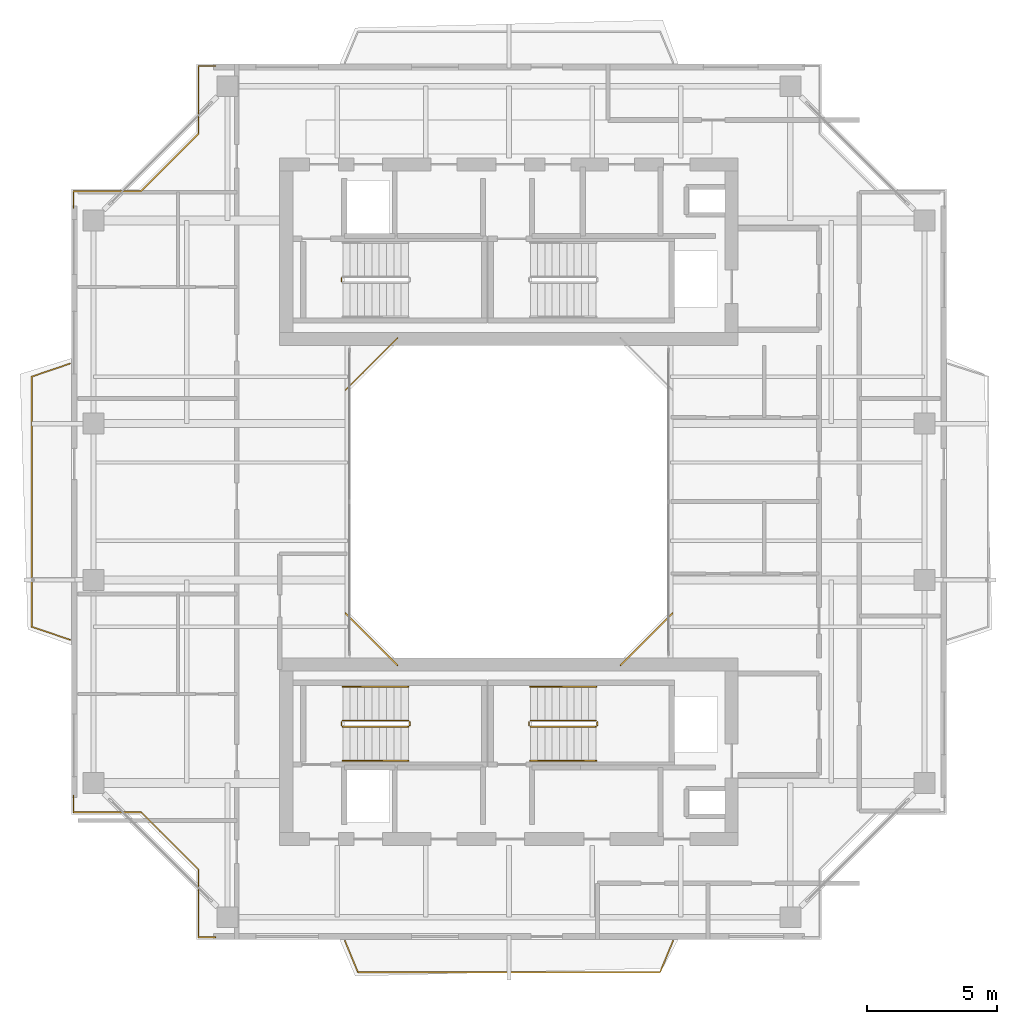
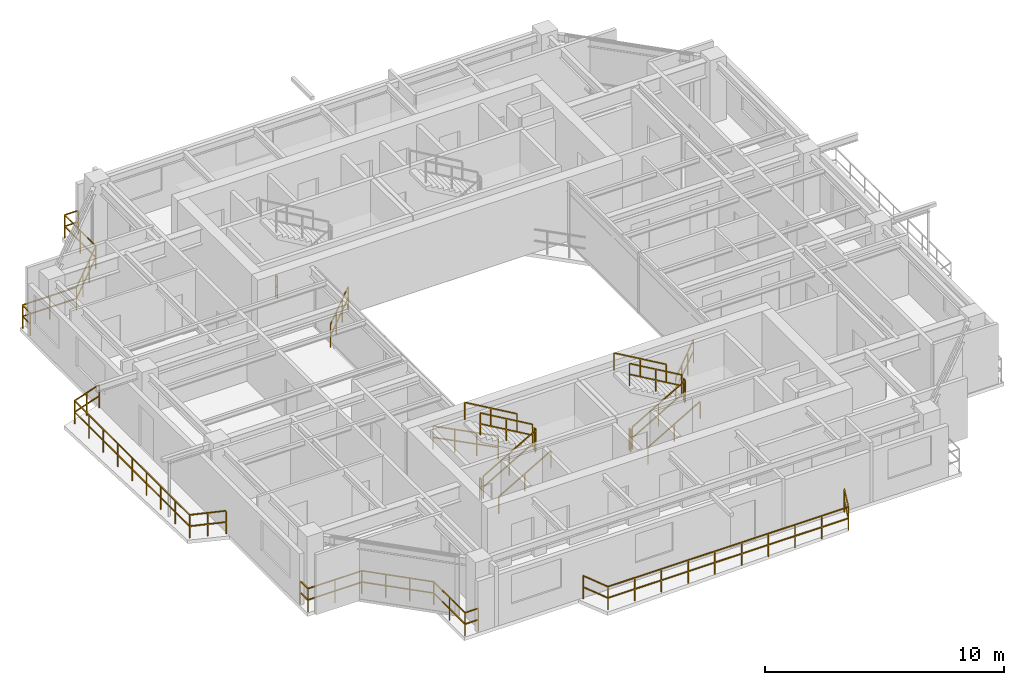
# One storey, part 14 of 15: 20 railings.
"""IFC4 building model written with IfcOpenShell, lengths in metres."""

from ifc_helpers import new_model, si_unit, direction, frame, origin, origin_2d, place, context, subcontext, project, spatial, rectangle, extrude, material, type_object, element, save


model = new_model("IFC4")

# Units and contexts
model_context = context("Model", 3, precision=1e-05, world=origin(), true_north=direction((0.0, 1.0)))
body_context = subcontext(model_context, "Body", "Model", "MODEL_VIEW")
ifc_project = project(units=[si_unit("LENGTHUNIT", "METRE"), si_unit("AREAUNIT", "SQUARE_METRE"), si_unit("VOLUMEUNIT", "CUBIC_METRE"), si_unit("PLANEANGLEUNIT", "RADIAN"), si_unit("MASSUNIT", "GRAM", prefix="KILO"), si_unit("THERMODYNAMICTEMPERATUREUNIT", "KELVIN"), si_unit("POWERUNIT", "WATT")], contexts=[model_context])

# Site, building, storey
site_placement = place(None, origin())
site = spatial("IfcSite", under=ifc_project, at=site_placement, CompositionType="ELEMENT")
building_placement = place(site_placement, origin())
building = spatial("IfcBuilding", under=site, at=building_placement, Name="Qiaomeng Ring Towers", CompositionType="ELEMENT")
storey_placement = place(building_placement, frame((0.0, 0.0, 206.75)))
storey = spatial("IfcBuildingStorey", under=building, at=storey_placement, Name="L60", CompositionType="ELEMENT", Elevation=206.75)

# Railings
ifc_material_1 = material(Name="Low-E pale-green laminated safety glass", Category="glass")
railing_type_1 = type_object("IfcRailingType", Name="ARC-RL-BAL1", PredefinedType="BALUSTRADE", material=ifc_material_1)
railing_1_placement = place(storey_placement, frame((23.280029296875, 16.719970703125, 0.0)))
element("IfcRailing", 1, at=railing_1_placement, inside=storey, type_object=railing_type_1, Name="L60 Balustrade ARC-BAL-WELL1-L60-1", PredefinedType="BALUSTRADE", context=body_context, shape_type="SweptSolid", body=[
    extrude(rectangle(XDim=0.048095703125, YDim=0.048095703125, at=origin_2d()), frame((0.0, 0.0, 1.17578125), z_axis=(0.707106781187, 0.707106781187, 0.0), x_axis=(-0.707106781187, 0.707106781187, 0.0)), (0.0, 0.0, 1.0), 2.828369140625),
    extrude(rectangle(XDim=0.048095703125, YDim=0.048095703125, at=origin_2d()), frame((0.0, 0.0, 0.60009765625), z_axis=(0.707106781187, 0.707106781187, 0.0), x_axis=(-0.707106781187, 0.707106781187, 0.0)), (0.0, 0.0, 1.0), 2.828369140625),
    extrude(rectangle(XDim=0.0419921875, YDim=0.0419921875, at=origin_2d()), origin(), (0.0, 0.0, 1.0), 1.15185546875),
    extrude(rectangle(XDim=0.0419921875, YDim=0.0419921875, at=origin_2d()), frame((0.666748046875, 0.666748046875, 0.0)), (0.0, 0.0, 1.0), 1.15185546875),
    extrude(rectangle(XDim=0.0419921875, YDim=0.0419921875, at=origin_2d()), frame((1.333251953125, 1.333251953125, 0.0)), (0.0, 0.0, 1.0), 1.15185546875),
    extrude(rectangle(XDim=0.0419921875, YDim=0.0419921875, at=origin_2d()), frame((2.0, 2.0, 0.0)), (0.0, 0.0, 1.0), 1.15185546875),
])
railing_2_placement = place(storey_placement, frame((14.719970703125, 29.280029296875, 0.0)))
element("IfcRailing", 2, at=railing_2_placement, inside=storey, type_object=railing_type_1, Name="L60 Balustrade ARC-BAL-WELL1-L60-3", PredefinedType="BALUSTRADE", context=body_context, shape_type="SweptSolid", body=[
    extrude(rectangle(XDim=0.048095703125, YDim=0.048095703125, at=origin_2d()), frame((0.0, 0.0, 1.17578125), z_axis=(-0.707106781187, -0.707106781187, 0.0), x_axis=(0.707106781187, -0.707106781187, 0.0)), (0.0, 0.0, 1.0), 2.828369140625),
    extrude(rectangle(XDim=0.048095703125, YDim=0.048095703125, at=origin_2d()), frame((0.0, 0.0, 0.60009765625), z_axis=(-0.707106781187, -0.707106781187, 0.0), x_axis=(0.707106781187, -0.707106781187, 0.0)), (0.0, 0.0, 1.0), 2.828369140625),
    extrude(rectangle(XDim=0.0419921875, YDim=0.0419921875, at=origin_2d()), origin(), (0.0, 0.0, 1.0), 1.15185546875),
    extrude(rectangle(XDim=0.0419921875, YDim=0.0419921875, at=origin_2d()), frame((-0.666748046875, -0.666748046875, 0.0)), (0.0, 0.0, 1.0), 1.15185546875),
    extrude(rectangle(XDim=0.0419921875, YDim=0.0419921875, at=origin_2d()), frame((-1.333251953125, -1.333251953125, 0.0)), (0.0, 0.0, 1.0), 1.15185546875),
    extrude(rectangle(XDim=0.0419921875, YDim=0.0419921875, at=origin_2d()), frame((-2.0, -2.0, 0.0)), (0.0, 0.0, 1.0), 1.15185546875),
])
railing_3_placement = place(storey_placement, frame((12.719970703125, 18.719970703125, 0.0)))
element("IfcRailing", 3, at=railing_3_placement, inside=storey, type_object=railing_type_1, Name="L60 Balustrade ARC-BAL-WELL1-L60-4", PredefinedType="BALUSTRADE", context=body_context, shape_type="SweptSolid", body=[
    extrude(rectangle(XDim=0.048095703125, YDim=0.048095703125, at=origin_2d()), frame((0.0, 0.0, 1.17578125), z_axis=(0.707106781187, -0.707106781187, 0.0), x_axis=(0.707106781187, 0.707106781187, 0.0)), (0.0, 0.0, 1.0), 2.828369140625),
    extrude(rectangle(XDim=0.048095703125, YDim=0.048095703125, at=origin_2d()), frame((0.0, 0.0, 0.60009765625), z_axis=(0.707106781187, -0.707106781187, 0.0), x_axis=(0.707106781187, 0.707106781187, 0.0)), (0.0, 0.0, 1.0), 2.828369140625),
    extrude(rectangle(XDim=0.0419921875, YDim=0.0419921875, at=origin_2d()), origin(), (0.0, 0.0, 1.0), 1.15185546875),
    extrude(rectangle(XDim=0.0419921875, YDim=0.0419921875, at=origin_2d()), frame((0.666748046875, -0.666748046875, 0.0)), (0.0, 0.0, 1.0), 1.15185546875),
    extrude(rectangle(XDim=0.0419921875, YDim=0.0419921875, at=origin_2d()), frame((1.333251953125, -1.333251953125, 0.0)), (0.0, 0.0, 1.0), 1.15185546875),
    extrude(rectangle(XDim=0.0419921875, YDim=0.0419921875, at=origin_2d()), frame((2.0, -2.0, 0.0)), (0.0, 0.0, 1.0), 1.15185546875),
])
railing_4_placement = place(storey_placement, frame((7.72998046875, 39.719970703125, 0.0)))
element("IfcRailing", 4, at=railing_4_placement, inside=storey, type_object=railing_type_1, Name="L60 Balustrade ARC-BAL-NOTCH1-L60-NW", PredefinedType="BALUSTRADE", context=body_context, shape_type="SweptSolid", body=[
    extrude(rectangle(XDim=0.048095703125, YDim=0.048095703125, at=origin_2d()), frame((0.0, 0.0, 1.17578125), z_axis=(-1.0, 0.0, 0.0), x_axis=(0.0, -1.0, 0.0)), (0.0, 0.0, 1.0), 0.64990234375),
    extrude(rectangle(XDim=0.048095703125, YDim=0.048095703125, at=origin_2d()), frame((0.0, 0.0, 0.60009765625), z_axis=(-1.0, 0.0, 0.0), x_axis=(0.0, -1.0, 0.0)), (0.0, 0.0, 1.0), 0.64990234375),
    extrude(rectangle(XDim=0.048095703125, YDim=0.048095703125, at=origin_2d()), frame((-0.64990234375, 0.0, 1.17578125), z_axis=(0.0, -1.0, 0.0), x_axis=(1.0, 0.0, 0.0)), (0.0, 0.0, 1.0), 2.599853515625),
    extrude(rectangle(XDim=0.048095703125, YDim=0.048095703125, at=origin_2d()), frame((-0.64990234375, 0.0, 0.60009765625), z_axis=(0.0, -1.0, 0.0), x_axis=(1.0, 0.0, 0.0)), (0.0, 0.0, 1.0), 2.599853515625),
    extrude(rectangle(XDim=0.048095703125, YDim=0.048095703125, at=origin_2d()), frame((-0.64990234375, -2.599853515625, 1.17578125), z_axis=(-0.707106781187, -0.707106781187, 0.0), x_axis=(0.707106781187, -0.707106781187, 0.0)), (0.0, 0.0, 1.0), 3.111572265625),
    extrude(rectangle(XDim=0.048095703125, YDim=0.048095703125, at=origin_2d()), frame((-0.64990234375, -2.599853515625, 0.60009765625), z_axis=(-0.707106781187, -0.707106781187, 0.0), x_axis=(0.707106781187, -0.707106781187, 0.0)), (0.0, 0.0, 1.0), 3.111572265625),
    extrude(rectangle(XDim=0.048095703125, YDim=0.048095703125, at=origin_2d()), frame((-2.85009765625, -4.800048828125, 1.17578125), z_axis=(-1.0, 0.0, 0.0), x_axis=(0.0, -1.0, 0.0)), (0.0, 0.0, 1.0), 2.599853515625),
    extrude(rectangle(XDim=0.048095703125, YDim=0.048095703125, at=origin_2d()), frame((-2.85009765625, -4.800048828125, 0.60009765625), z_axis=(-1.0, 0.0, 0.0), x_axis=(0.0, -1.0, 0.0)), (0.0, 0.0, 1.0), 2.599853515625),
    extrude(rectangle(XDim=0.048095703125, YDim=0.048095703125, at=origin_2d()), frame((-5.449951171875, -4.800048828125, 1.17578125), z_axis=(0.0, -1.0, 0.0), x_axis=(1.0, 0.0, 0.0)), (0.0, 0.0, 1.0), 0.64990234375),
    extrude(rectangle(XDim=0.048095703125, YDim=0.048095703125, at=origin_2d()), frame((-5.449951171875, -4.800048828125, 0.60009765625), z_axis=(0.0, -1.0, 0.0), x_axis=(1.0, 0.0, 0.0)), (0.0, 0.0, 1.0), 0.64990234375),
    extrude(rectangle(XDim=0.0419921875, YDim=0.0419921875, at=origin_2d()), origin(), (0.0, 0.0, 1.0), 1.15185546875),
    extrude(rectangle(XDim=0.0419921875, YDim=0.0419921875, at=origin_2d()), frame((-0.64990234375, 0.0, 0.0)), (0.0, 0.0, 1.0), 1.15185546875),
    extrude(rectangle(XDim=0.0419921875, YDim=0.0419921875, at=origin_2d()), frame((-0.64990234375, -1.2998046875, 0.0)), (0.0, 0.0, 1.0), 1.15185546875),
    extrude(rectangle(XDim=0.0419921875, YDim=0.0419921875, at=origin_2d()), frame((-0.64990234375, -2.599853515625, 0.0)), (0.0, 0.0, 1.0), 1.15185546875),
    extrude(rectangle(XDim=0.0419921875, YDim=0.0419921875, at=origin_2d()), frame((-1.38330078125, -3.333251953125, 0.0)), (0.0, 0.0, 1.0), 1.15185546875),
    extrude(rectangle(XDim=0.0419921875, YDim=0.0419921875, at=origin_2d()), frame((-2.11669921875, -4.066650390625, 0.0)), (0.0, 0.0, 1.0), 1.15185546875),
    extrude(rectangle(XDim=0.0419921875, YDim=0.0419921875, at=origin_2d()), frame((-2.85009765625, -4.800048828125, 0.0)), (0.0, 0.0, 1.0), 1.15185546875),
    extrude(rectangle(XDim=0.0419921875, YDim=0.0419921875, at=origin_2d()), frame((-4.14990234375, -4.800048828125, 0.0)), (0.0, 0.0, 1.0), 1.15185546875),
    extrude(rectangle(XDim=0.0419921875, YDim=0.0419921875, at=origin_2d()), frame((-5.449951171875, -4.800048828125, 0.0)), (0.0, 0.0, 1.0), 1.15185546875),
    extrude(rectangle(XDim=0.0419921875, YDim=0.0419921875, at=origin_2d()), frame((-5.449951171875, -5.449951171875, 0.0)), (0.0, 0.0, 1.0), 1.15185546875),
])
railing_5_placement = place(storey_placement, frame((2.280029296875, 11.72998046875, 0.0)))
element("IfcRailing", 5, at=railing_5_placement, inside=storey, type_object=railing_type_1, Name="L60 Balustrade ARC-BAL-NOTCH1-L60-SW", PredefinedType="BALUSTRADE", context=body_context, shape_type="SweptSolid", body=[
    extrude(rectangle(XDim=0.048095703125, YDim=0.048095703125, at=origin_2d()), frame((0.0, 0.0, 1.17578125), z_axis=(0.0, -1.0, 0.0), x_axis=(1.0, 0.0, 0.0)), (0.0, 0.0, 1.0), 0.64990234375),
    extrude(rectangle(XDim=0.048095703125, YDim=0.048095703125, at=origin_2d()), frame((0.0, 0.0, 0.60009765625), z_axis=(0.0, -1.0, 0.0), x_axis=(1.0, 0.0, 0.0)), (0.0, 0.0, 1.0), 0.64990234375),
    extrude(rectangle(XDim=0.048095703125, YDim=0.048095703125, at=origin_2d()), frame((0.0, -0.64990234375, 1.17578125), z_axis=(1.0, 0.0, 0.0), x_axis=(0.0, 1.0, 0.0)), (0.0, 0.0, 1.0), 2.599853515625),
    extrude(rectangle(XDim=0.048095703125, YDim=0.048095703125, at=origin_2d()), frame((0.0, -0.64990234375, 0.60009765625), z_axis=(1.0, 0.0, 0.0), x_axis=(0.0, 1.0, 0.0)), (0.0, 0.0, 1.0), 2.599853515625),
    extrude(rectangle(XDim=0.048095703125, YDim=0.048095703125, at=origin_2d()), frame((2.599853515625, -0.64990234375, 1.17578125), z_axis=(0.707106781187, -0.707106781187, 0.0), x_axis=(0.707106781187, 0.707106781187, 0.0)), (0.0, 0.0, 1.0), 3.111572265625),
    extrude(rectangle(XDim=0.048095703125, YDim=0.048095703125, at=origin_2d()), frame((2.599853515625, -0.64990234375, 0.60009765625), z_axis=(0.707106781187, -0.707106781187, 0.0), x_axis=(0.707106781187, 0.707106781187, 0.0)), (0.0, 0.0, 1.0), 3.111572265625),
    extrude(rectangle(XDim=0.048095703125, YDim=0.048095703125, at=origin_2d()), frame((4.800048828125, -2.85009765625, 1.17578125), z_axis=(0.0, -1.0, 0.0), x_axis=(1.0, 0.0, 0.0)), (0.0, 0.0, 1.0), 2.599853515625),
    extrude(rectangle(XDim=0.048095703125, YDim=0.048095703125, at=origin_2d()), frame((4.800048828125, -2.85009765625, 0.60009765625), z_axis=(0.0, -1.0, 0.0), x_axis=(1.0, 0.0, 0.0)), (0.0, 0.0, 1.0), 2.599853515625),
    extrude(rectangle(XDim=0.048095703125, YDim=0.048095703125, at=origin_2d()), frame((4.800048828125, -5.449951171875, 1.17578125), z_axis=(1.0, 0.0, 0.0), x_axis=(0.0, 1.0, 0.0)), (0.0, 0.0, 1.0), 0.64990234375),
    extrude(rectangle(XDim=0.048095703125, YDim=0.048095703125, at=origin_2d()), frame((4.800048828125, -5.449951171875, 0.60009765625), z_axis=(1.0, 0.0, 0.0), x_axis=(0.0, 1.0, 0.0)), (0.0, 0.0, 1.0), 0.64990234375),
    extrude(rectangle(XDim=0.0419921875, YDim=0.0419921875, at=origin_2d()), origin(), (0.0, 0.0, 1.0), 1.15185546875),
    extrude(rectangle(XDim=0.0419921875, YDim=0.0419921875, at=origin_2d()), frame((0.0, -0.64990234375, 0.0)), (0.0, 0.0, 1.0), 1.15185546875),
    extrude(rectangle(XDim=0.0419921875, YDim=0.0419921875, at=origin_2d()), frame((1.2998046875, -0.64990234375, 0.0)), (0.0, 0.0, 1.0), 1.15185546875),
    extrude(rectangle(XDim=0.0419921875, YDim=0.0419921875, at=origin_2d()), frame((2.599853515625, -0.64990234375, 0.0)), (0.0, 0.0, 1.0), 1.15185546875),
    extrude(rectangle(XDim=0.0419921875, YDim=0.0419921875, at=origin_2d()), frame((3.333251953125, -1.38330078125, 0.0)), (0.0, 0.0, 1.0), 1.15185546875),
    extrude(rectangle(XDim=0.0419921875, YDim=0.0419921875, at=origin_2d()), frame((4.066650390625, -2.11669921875, 0.0)), (0.0, 0.0, 1.0), 1.15185546875),
    extrude(rectangle(XDim=0.0419921875, YDim=0.0419921875, at=origin_2d()), frame((4.800048828125, -2.85009765625, 0.0)), (0.0, 0.0, 1.0), 1.15185546875),
    extrude(rectangle(XDim=0.0419921875, YDim=0.0419921875, at=origin_2d()), frame((4.800048828125, -4.14990234375, 0.0)), (0.0, 0.0, 1.0), 1.15185546875),
    extrude(rectangle(XDim=0.0419921875, YDim=0.0419921875, at=origin_2d()), frame((4.800048828125, -5.449951171875, 0.0)), (0.0, 0.0, 1.0), 1.15185546875),
    extrude(rectangle(XDim=0.0419921875, YDim=0.0419921875, at=origin_2d()), frame((5.449951171875, -5.449951171875, 0.0)), (0.0, 0.0, 1.0), 1.15185546875),
])
railing_6_placement = place(storey_placement, frame((12.699951171875, 6.14990234375, 0.0)))
element("IfcRailing", 6, at=railing_6_placement, inside=storey, type_object=railing_type_1, Name="L60 Balustrade ARC-BAL-L60-T1-S", PredefinedType="BALUSTRADE", context=body_context, shape_type="SweptSolid", body=[
    extrude(rectangle(XDim=0.048095703125, YDim=0.048095703125, at=origin_2d()), frame((0.0, 0.0, 1.17578125), z_axis=(0.381912525892, -0.924198475743, 0.0), x_axis=(0.924198475743, 0.381912525892, 0.0)), (0.0, 0.0, 1.0), 1.30908203125),
    extrude(rectangle(XDim=0.048095703125, YDim=0.048095703125, at=origin_2d()), frame((0.0, 0.0, 0.60009765625), z_axis=(0.381912525892, -0.924198475743, 0.0), x_axis=(0.924198475743, 0.381912525892, 0.0)), (0.0, 0.0, 1.0), 1.30908203125),
    extrude(rectangle(XDim=0.048095703125, YDim=0.048095703125, at=origin_2d()), frame((0.5, -1.2099609375, 1.17578125), z_axis=(1.0, 0.0, 0.0), x_axis=(0.0, 1.0, 0.0)), (0.0, 0.0, 1.0), 11.60009765625),
    extrude(rectangle(XDim=0.048095703125, YDim=0.048095703125, at=origin_2d()), frame((0.5, -1.2099609375, 0.60009765625), z_axis=(1.0, 0.0, 0.0), x_axis=(0.0, 1.0, 0.0)), (0.0, 0.0, 1.0), 11.60009765625),
    extrude(rectangle(XDim=0.048095703125, YDim=0.048095703125, at=origin_2d()), frame((12.10009765625, -1.2099609375, 1.17578125), z_axis=(0.381912525892, 0.924198475743, 0.0), x_axis=(-0.924198475743, 0.381912525892, 0.0)), (0.0, 0.0, 1.0), 1.30908203125),
    extrude(rectangle(XDim=0.048095703125, YDim=0.048095703125, at=origin_2d()), frame((12.10009765625, -1.2099609375, 0.60009765625), z_axis=(0.381912525892, 0.924198475743, 0.0), x_axis=(-0.924198475743, 0.381912525892, 0.0)), (0.0, 0.0, 1.0), 1.30908203125),
    extrude(rectangle(XDim=0.0419921875, YDim=0.0419921875, at=origin_2d()), origin(), (0.0, 0.0, 1.0), 1.15185546875),
    extrude(rectangle(XDim=0.0419921875, YDim=0.0419921875, at=origin_2d()), frame((0.5, -1.2099609375, 0.0)), (0.0, 0.0, 1.0), 1.15185546875),
    extrude(rectangle(XDim=0.0419921875, YDim=0.0419921875, at=origin_2d()), frame((1.788818359375, -1.2099609375, 0.0)), (0.0, 0.0, 1.0), 1.15185546875),
    extrude(rectangle(XDim=0.0419921875, YDim=0.0419921875, at=origin_2d()), frame((3.077880859375, -1.2099609375, 0.0)), (0.0, 0.0, 1.0), 1.15185546875),
    extrude(rectangle(XDim=0.0419921875, YDim=0.0419921875, at=origin_2d()), frame((4.36669921875, -1.2099609375, 0.0)), (0.0, 0.0, 1.0), 1.15185546875),
    extrude(rectangle(XDim=0.0419921875, YDim=0.0419921875, at=origin_2d()), frame((5.655517578125, -1.2099609375, 0.0)), (0.0, 0.0, 1.0), 1.15185546875),
    extrude(rectangle(XDim=0.0419921875, YDim=0.0419921875, at=origin_2d()), frame((6.944580078125, -1.2099609375, 0.0)), (0.0, 0.0, 1.0), 1.15185546875),
    extrude(rectangle(XDim=0.0419921875, YDim=0.0419921875, at=origin_2d()), frame((8.2333984375, -1.2099609375, 0.0)), (0.0, 0.0, 1.0), 1.15185546875),
    extrude(rectangle(XDim=0.0419921875, YDim=0.0419921875, at=origin_2d()), frame((9.522216796875, -1.2099609375, 0.0)), (0.0, 0.0, 1.0), 1.15185546875),
    extrude(rectangle(XDim=0.0419921875, YDim=0.0419921875, at=origin_2d()), frame((10.811279296875, -1.2099609375, 0.0)), (0.0, 0.0, 1.0), 1.15185546875),
    extrude(rectangle(XDim=0.0419921875, YDim=0.0419921875, at=origin_2d()), frame((12.10009765625, -1.2099609375, 0.0)), (0.0, 0.0, 1.0), 1.15185546875),
    extrude(rectangle(XDim=0.0419921875, YDim=0.0419921875, at=origin_2d()), frame((12.60009765625, 0.0, 0.0)), (0.0, 0.0, 1.0), 1.15185546875),
])
railing_7_placement = place(storey_placement, frame((2.14990234375, 17.699951171875, 0.0)))
element("IfcRailing", 7, at=railing_7_placement, inside=storey, type_object=railing_type_1, Name="L60 Balustrade ARC-BAL-L60-T1-W", PredefinedType="BALUSTRADE", context=body_context, shape_type="SweptSolid", body=[
    extrude(rectangle(XDim=0.048095703125, YDim=0.048095703125, at=origin_2d()), frame((0.0, 0.0, 1.17578125), z_axis=(-0.946731524739, 0.322023943309, 0.0), x_axis=(-0.322023943309, -0.946731524739, 0.0)), (0.0, 0.0, 1.0), 1.552734375),
    extrude(rectangle(XDim=0.048095703125, YDim=0.048095703125, at=origin_2d()), frame((0.0, 0.0, 0.60009765625), z_axis=(-0.946731524739, 0.322023943309, 0.0), x_axis=(-0.322023943309, -0.946731524739, 0.0)), (0.0, 0.0, 1.0), 1.552734375),
    extrude(rectangle(XDim=0.048095703125, YDim=0.048095703125, at=origin_2d()), frame((-1.469970703125, 0.5, 1.17578125), z_axis=(0.0, 1.0, 0.0), x_axis=(-1.0, 0.0, 0.0)), (0.0, 0.0, 1.0), 9.60009765625),
    extrude(rectangle(XDim=0.048095703125, YDim=0.048095703125, at=origin_2d()), frame((-1.469970703125, 0.5, 0.60009765625), z_axis=(0.0, 1.0, 0.0), x_axis=(-1.0, 0.0, 0.0)), (0.0, 0.0, 1.0), 9.60009765625),
    extrude(rectangle(XDim=0.048095703125, YDim=0.048095703125, at=origin_2d()), frame((-1.469970703125, 10.10009765625, 1.17578125), z_axis=(0.946731524739, 0.322023943309, 0.0), x_axis=(-0.322023943309, 0.946731524739, 0.0)), (0.0, 0.0, 1.0), 1.552734375),
    extrude(rectangle(XDim=0.048095703125, YDim=0.048095703125, at=origin_2d()), frame((-1.469970703125, 10.10009765625, 0.60009765625), z_axis=(0.946731524739, 0.322023943309, 0.0), x_axis=(-0.322023943309, 0.946731524739, 0.0)), (0.0, 0.0, 1.0), 1.552734375),
    extrude(rectangle(XDim=0.0419921875, YDim=0.0419921875, at=origin_2d()), origin(), (0.0, 0.0, 1.0), 1.15185546875),
    extrude(rectangle(XDim=0.0419921875, YDim=0.0419921875, at=origin_2d()), frame((-0.73486328125, 0.25, 0.0)), (0.0, 0.0, 1.0), 1.15185546875),
    extrude(rectangle(XDim=0.0419921875, YDim=0.0419921875, at=origin_2d()), frame((-1.469970703125, 0.5, 0.0)), (0.0, 0.0, 1.0), 1.15185546875),
    extrude(rectangle(XDim=0.0419921875, YDim=0.0419921875, at=origin_2d()), frame((-1.469970703125, 1.699951171875, 0.0)), (0.0, 0.0, 1.0), 1.15185546875),
    extrude(rectangle(XDim=0.0419921875, YDim=0.0419921875, at=origin_2d()), frame((-1.469970703125, 2.89990234375, 0.0)), (0.0, 0.0, 1.0), 1.15185546875),
    extrude(rectangle(XDim=0.0419921875, YDim=0.0419921875, at=origin_2d()), frame((-1.469970703125, 4.10009765625, 0.0)), (0.0, 0.0, 1.0), 1.15185546875),
    extrude(rectangle(XDim=0.0419921875, YDim=0.0419921875, at=origin_2d()), frame((-1.469970703125, 5.300048828125, 0.0)), (0.0, 0.0, 1.0), 1.15185546875),
    extrude(rectangle(XDim=0.0419921875, YDim=0.0419921875, at=origin_2d()), frame((-1.469970703125, 6.5, 0.0)), (0.0, 0.0, 1.0), 1.15185546875),
    extrude(rectangle(XDim=0.0419921875, YDim=0.0419921875, at=origin_2d()), frame((-1.469970703125, 7.7001953125, 0.0)), (0.0, 0.0, 1.0), 1.15185546875),
    extrude(rectangle(XDim=0.0419921875, YDim=0.0419921875, at=origin_2d()), frame((-1.469970703125, 8.900146484375, 0.0)), (0.0, 0.0, 1.0), 1.15185546875),
    extrude(rectangle(XDim=0.0419921875, YDim=0.0419921875, at=origin_2d()), frame((-1.469970703125, 10.10009765625, 0.0)), (0.0, 0.0, 1.0), 1.15185546875),
    extrude(rectangle(XDim=0.0419921875, YDim=0.0419921875, at=origin_2d()), frame((-0.73486328125, 10.35009765625, 0.0)), (0.0, 0.0, 1.0), 1.15185546875),
    extrude(rectangle(XDim=0.0419921875, YDim=0.0419921875, at=origin_2d()), frame((0.0, 10.60009765625, 0.0)), (0.0, 0.0, 1.0), 1.15185546875),
])
ifc_material_2 = material(Name="Galvanised steel", Category="steel")
railing_type_2 = type_object("IfcRailingType", Name="ARC-RL-GUARD", PredefinedType="GUARDRAIL", material=ifc_material_2)
railing_8_placement = place(storey_placement, frame((12.570068359375, 31.449951171875, 0.0)))
element("IfcRailing", 8, at=railing_8_placement, inside=storey, type_object=railing_type_2, Name="L60 ST1 stair guard 4", PredefinedType="GUARDRAIL", context=body_context, shape_type="SweptSolid", body=[
    extrude(rectangle(XDim=0.048095703125, YDim=0.048095703125, at=origin_2d()), frame((0.0, 0.0, 1.1259765625), z_axis=(0.0, 1.0, 0.0), x_axis=(-1.0, 0.0, 0.0)), (0.0, 0.0, 1.0), 0.14013671875),
    extrude(rectangle(XDim=0.048095703125, YDim=0.048095703125, at=origin_2d()), frame((0.0, 0.0, 0.574951171875), z_axis=(0.0, 1.0, 0.0), x_axis=(-1.0, 0.0, 0.0)), (0.0, 0.0, 1.0), 0.14013671875),
    extrude(rectangle(XDim=0.0419921875, YDim=0.0419921875, at=origin_2d()), origin(), (0.0, 0.0, 1.0), 1.101806640625),
    extrude(rectangle(XDim=0.0419921875, YDim=0.0419921875, at=origin_2d()), frame((0.0, 0.14013671875, 0.0)), (0.0, 0.0, 1.0), 1.101806640625),
])
railing_9_placement = place(storey_placement, frame((12.6201171875, 14.360107421875, 0.16259765625)))
element("IfcRailing", 9, at=railing_9_placement, inside=storey, type_object=railing_type_2, Name="L60 ST3 stair guard 1", PredefinedType="GUARDRAIL", context=body_context, shape_type="SweptSolid", body=[
    extrude(rectangle(XDim=0.048095703125, YDim=0.048095703125, at=origin_2d()), frame((0.0, 0.0, 1.1259765625), z_axis=(0.864892226395, 0.0, 0.501957604506), x_axis=(0.0, 1.0, 0.0)), (0.0, 0.0, 1.0), 2.913330078125),
    extrude(rectangle(XDim=0.048095703125, YDim=0.048095703125, at=origin_2d()), frame((0.0, 0.0, 0.574951171875), z_axis=(0.864892226395, 0.0, 0.501957604506), x_axis=(0.0, 1.0, 0.0)), (0.0, 0.0, 1.0), 2.913330078125),
    extrude(rectangle(XDim=0.0419921875, YDim=0.0419921875, at=origin_2d()), origin(), (0.0, 0.0, 1.0), 1.101806640625),
    extrude(rectangle(XDim=0.0419921875, YDim=0.0419921875, at=origin_2d()), frame((1.259765625, 0.0, 0.731201171875)), (0.0, 0.0, 1.0), 1.101806640625),
    extrude(rectangle(XDim=0.0419921875, YDim=0.0419921875, at=origin_2d()), frame((2.519775390625, 0.0, 1.46240234375)), (0.0, 0.0, 1.0), 1.101806640625),
])
railing_10_placement = place(storey_placement, frame((15.18994140625, 14.409912109375, 1.625)))
element("IfcRailing", 10, at=railing_10_placement, inside=storey, type_object=railing_type_2, Name="L60 ST3 stair guard 2", PredefinedType="GUARDRAIL", context=body_context, shape_type="SweptSolid", body=[
    extrude(rectangle(XDim=0.048095703125, YDim=0.048095703125, at=origin_2d()), frame((0.0, 0.0, 1.1259765625), z_axis=(0.0, 1.0, 0.0), x_axis=(-1.0, 0.0, 0.0)), (0.0, 0.0, 1.0), 0.14013671875),
    extrude(rectangle(XDim=0.048095703125, YDim=0.048095703125, at=origin_2d()), frame((0.0, 0.0, 0.574951171875), z_axis=(0.0, 1.0, 0.0), x_axis=(-1.0, 0.0, 0.0)), (0.0, 0.0, 1.0), 0.14013671875),
    extrude(rectangle(XDim=0.0419921875, YDim=0.0419921875, at=origin_2d()), origin(), (0.0, 0.0, 1.0), 1.101806640625),
    extrude(rectangle(XDim=0.0419921875, YDim=0.0419921875, at=origin_2d()), frame((0.0, 0.14013671875, 0.0)), (0.0, 0.0, 1.0), 1.101806640625),
])
railing_11_placement = place(storey_placement, frame((15.139892578125, 14.60009765625, 1.78759765625)))
element("IfcRailing", 11, at=railing_11_placement, inside=storey, type_object=railing_type_2, Name="L60 ST3 stair guard 3", PredefinedType="GUARDRAIL", context=body_context, shape_type="SweptSolid", body=[
    extrude(rectangle(XDim=0.048095703125, YDim=0.048095703125, at=origin_2d()), frame((0.0, 0.0, 1.1259765625), z_axis=(-0.864892226395, 0.0, 0.501957604506), x_axis=(0.0, -1.0, 0.0)), (0.0, 0.0, 1.0), 2.913330078125),
    extrude(rectangle(XDim=0.048095703125, YDim=0.048095703125, at=origin_2d()), frame((0.0, 0.0, 0.574951171875), z_axis=(-0.864892226395, 0.0, 0.501957604506), x_axis=(0.0, -1.0, 0.0)), (0.0, 0.0, 1.0), 2.913330078125),
    extrude(rectangle(XDim=0.0419921875, YDim=0.0419921875, at=origin_2d()), origin(), (0.0, 0.0, 1.0), 1.101806640625),
    extrude(rectangle(XDim=0.0419921875, YDim=0.0419921875, at=origin_2d()), frame((-1.259765625, 0.0, 0.731201171875)), (0.0, 0.0, 1.0), 1.101806640625),
    extrude(rectangle(XDim=0.0419921875, YDim=0.0419921875, at=origin_2d()), frame((-2.519775390625, 0.0, 1.46240234375)), (0.0, 0.0, 1.0), 1.101806640625),
])
railing_12_placement = place(storey_placement, frame((12.570068359375, 14.409912109375, 0.0)))
element("IfcRailing", 12, at=railing_12_placement, inside=storey, type_object=railing_type_2, Name="L60 ST3 stair guard 4", PredefinedType="GUARDRAIL", context=body_context, shape_type="SweptSolid", body=[
    extrude(rectangle(XDim=0.048095703125, YDim=0.048095703125, at=origin_2d()), frame((0.0, 0.0, 1.1259765625), z_axis=(0.0, 1.0, 0.0), x_axis=(-1.0, 0.0, 0.0)), (0.0, 0.0, 1.0), 0.14013671875),
    extrude(rectangle(XDim=0.048095703125, YDim=0.048095703125, at=origin_2d()), frame((0.0, 0.0, 0.574951171875), z_axis=(0.0, 1.0, 0.0), x_axis=(-1.0, 0.0, 0.0)), (0.0, 0.0, 1.0), 0.14013671875),
    extrude(rectangle(XDim=0.0419921875, YDim=0.0419921875, at=origin_2d()), origin(), (0.0, 0.0, 1.0), 1.101806640625),
    extrude(rectangle(XDim=0.0419921875, YDim=0.0419921875, at=origin_2d()), frame((0.0, 0.14013671875, 0.0)), (0.0, 0.0, 1.0), 1.101806640625),
])
railing_13_placement = place(storey_placement, frame((19.820068359375, 14.360107421875, 0.16259765625)))
element("IfcRailing", 13, at=railing_13_placement, inside=storey, type_object=railing_type_2, Name="L60 ST4 stair guard 1", PredefinedType="GUARDRAIL", context=body_context, shape_type="SweptSolid", body=[
    extrude(rectangle(XDim=0.048095703125, YDim=0.048095703125, at=origin_2d()), frame((0.0, 0.0, 1.1259765625), z_axis=(0.864913338283, 0.0, 0.50192122615), x_axis=(0.0, 1.0, 0.0)), (0.0, 0.0, 1.0), 2.91357421875),
    extrude(rectangle(XDim=0.048095703125, YDim=0.048095703125, at=origin_2d()), frame((0.0, 0.0, 0.574951171875), z_axis=(0.864913338283, 0.0, 0.50192122615), x_axis=(0.0, 1.0, 0.0)), (0.0, 0.0, 1.0), 2.91357421875),
    extrude(rectangle(XDim=0.0419921875, YDim=0.0419921875, at=origin_2d()), origin(), (0.0, 0.0, 1.0), 1.101806640625),
    extrude(rectangle(XDim=0.0419921875, YDim=0.0419921875, at=origin_2d()), frame((1.260009765625, 0.0, 0.731201171875)), (0.0, 0.0, 1.0), 1.101806640625),
    extrude(rectangle(XDim=0.0419921875, YDim=0.0419921875, at=origin_2d()), frame((2.52001953125, 0.0, 1.46240234375)), (0.0, 0.0, 1.0), 1.101806640625),
])
railing_14_placement = place(storey_placement, frame((22.389892578125, 14.409912109375, 1.625)))
element("IfcRailing", 14, at=railing_14_placement, inside=storey, type_object=railing_type_2, Name="L60 ST4 stair guard 2", PredefinedType="GUARDRAIL", context=body_context, shape_type="SweptSolid", body=[
    extrude(rectangle(XDim=0.048095703125, YDim=0.048095703125, at=origin_2d()), frame((0.0, 0.0, 1.1259765625), z_axis=(0.0, 1.0, 0.0), x_axis=(-1.0, 0.0, 0.0)), (0.0, 0.0, 1.0), 0.14013671875),
    extrude(rectangle(XDim=0.048095703125, YDim=0.048095703125, at=origin_2d()), frame((0.0, 0.0, 0.574951171875), z_axis=(0.0, 1.0, 0.0), x_axis=(-1.0, 0.0, 0.0)), (0.0, 0.0, 1.0), 0.14013671875),
    extrude(rectangle(XDim=0.0419921875, YDim=0.0419921875, at=origin_2d()), origin(), (0.0, 0.0, 1.0), 1.101806640625),
    extrude(rectangle(XDim=0.0419921875, YDim=0.0419921875, at=origin_2d()), frame((0.0, 0.14013671875, 0.0)), (0.0, 0.0, 1.0), 1.101806640625),
])
railing_15_placement = place(storey_placement, frame((22.340087890625, 14.60009765625, 1.78759765625)))
element("IfcRailing", 15, at=railing_15_placement, inside=storey, type_object=railing_type_2, Name="L60 ST4 stair guard 3", PredefinedType="GUARDRAIL", context=body_context, shape_type="SweptSolid", body=[
    extrude(rectangle(XDim=0.048095703125, YDim=0.048095703125, at=origin_2d()), frame((0.0, 0.0, 1.1259765625), z_axis=(-0.864913338283, 0.0, 0.50192122615), x_axis=(0.0, -1.0, 0.0)), (0.0, 0.0, 1.0), 2.91357421875),
    extrude(rectangle(XDim=0.048095703125, YDim=0.048095703125, at=origin_2d()), frame((0.0, 0.0, 0.574951171875), z_axis=(-0.864913338283, 0.0, 0.50192122615), x_axis=(0.0, -1.0, 0.0)), (0.0, 0.0, 1.0), 2.91357421875),
    extrude(rectangle(XDim=0.0419921875, YDim=0.0419921875, at=origin_2d()), origin(), (0.0, 0.0, 1.0), 1.101806640625),
    extrude(rectangle(XDim=0.0419921875, YDim=0.0419921875, at=origin_2d()), frame((-1.260009765625, 0.0, 0.731201171875)), (0.0, 0.0, 1.0), 1.101806640625),
    extrude(rectangle(XDim=0.0419921875, YDim=0.0419921875, at=origin_2d()), frame((-2.52001953125, 0.0, 1.46240234375)), (0.0, 0.0, 1.0), 1.101806640625),
])
railing_16_placement = place(storey_placement, frame((19.77001953125, 14.409912109375, 0.0)))
element("IfcRailing", 16, at=railing_16_placement, inside=storey, type_object=railing_type_2, Name="L60 ST4 stair guard 4", PredefinedType="GUARDRAIL", context=body_context, shape_type="SweptSolid", body=[
    extrude(rectangle(XDim=0.048095703125, YDim=0.048095703125, at=origin_2d()), frame((0.0, 0.0, 1.1259765625), z_axis=(0.0, 1.0, 0.0), x_axis=(-1.0, 0.0, 0.0)), (0.0, 0.0, 1.0), 0.14013671875),
    extrude(rectangle(XDim=0.048095703125, YDim=0.048095703125, at=origin_2d()), frame((0.0, 0.0, 0.574951171875), z_axis=(0.0, 1.0, 0.0), x_axis=(-1.0, 0.0, 0.0)), (0.0, 0.0, 1.0), 0.14013671875),
    extrude(rectangle(XDim=0.0419921875, YDim=0.0419921875, at=origin_2d()), origin(), (0.0, 0.0, 1.0), 1.101806640625),
    extrude(rectangle(XDim=0.0419921875, YDim=0.0419921875, at=origin_2d()), frame((0.0, 0.14013671875, 0.0)), (0.0, 0.0, 1.0), 1.101806640625),
])
ifc_material_3 = material(Name="Stainless steel 316", Category="steel")
railing_type_3 = type_object("IfcRailingType", Name="ARC-RL-HAND", PredefinedType="HANDRAIL", material=ifc_material_3)
railing_17_placement = place(storey_placement, frame((12.6201171875, 13.06005859375, 0.16259765625)))
element("IfcRailing", 17, at=railing_17_placement, inside=storey, type_object=railing_type_3, Name="L60 ST3 stair handrail 1", PredefinedType="HANDRAIL", context=body_context, shape_type="SweptSolid", body=[
    extrude(rectangle(XDim=0.048095703125, YDim=0.048095703125, at=origin_2d()), frame((0.0, 0.0, 0.8759765625), z_axis=(0.864892226395, 0.0, 0.501957604506), x_axis=(0.0, 1.0, 0.0)), (0.0, 0.0, 1.0), 2.913330078125),
    extrude(rectangle(XDim=0.0419921875, YDim=0.0419921875, at=origin_2d()), origin(), (0.0, 0.0, 1.0), 0.851806640625),
    extrude(rectangle(XDim=0.0419921875, YDim=0.0419921875, at=origin_2d()), frame((1.259765625, 0.0, 0.731201171875)), (0.0, 0.0, 1.0), 0.851806640625),
    extrude(rectangle(XDim=0.0419921875, YDim=0.0419921875, at=origin_2d()), frame((2.519775390625, 0.0, 1.46240234375)), (0.0, 0.0, 1.0), 0.851806640625),
])
railing_18_placement = place(storey_placement, frame((15.139892578125, 15.89990234375, 1.78759765625)))
element("IfcRailing", 18, at=railing_18_placement, inside=storey, type_object=railing_type_3, Name="L60 ST3 stair handrail 2", PredefinedType="HANDRAIL", context=body_context, shape_type="SweptSolid", body=[
    extrude(rectangle(XDim=0.048095703125, YDim=0.048095703125, at=origin_2d()), frame((0.0, 0.0, 0.8759765625), z_axis=(-0.864892226395, 0.0, 0.501957604506), x_axis=(0.0, -1.0, 0.0)), (0.0, 0.0, 1.0), 2.913330078125),
    extrude(rectangle(XDim=0.0419921875, YDim=0.0419921875, at=origin_2d()), origin(), (0.0, 0.0, 1.0), 0.851806640625),
    extrude(rectangle(XDim=0.0419921875, YDim=0.0419921875, at=origin_2d()), frame((-1.259765625, 0.0, 0.731201171875)), (0.0, 0.0, 1.0), 0.851806640625),
    extrude(rectangle(XDim=0.0419921875, YDim=0.0419921875, at=origin_2d()), frame((-2.519775390625, 0.0, 1.46240234375)), (0.0, 0.0, 1.0), 0.851806640625),
])
railing_19_placement = place(storey_placement, frame((19.820068359375, 13.06005859375, 0.16259765625)))
element("IfcRailing", 19, at=railing_19_placement, inside=storey, type_object=railing_type_3, Name="L60 ST4 stair handrail 1", PredefinedType="HANDRAIL", context=body_context, shape_type="SweptSolid", body=[
    extrude(rectangle(XDim=0.048095703125, YDim=0.048095703125, at=origin_2d()), frame((0.0, 0.0, 0.8759765625), z_axis=(0.864913338283, 0.0, 0.50192122615), x_axis=(0.0, 1.0, 0.0)), (0.0, 0.0, 1.0), 2.91357421875),
    extrude(rectangle(XDim=0.0419921875, YDim=0.0419921875, at=origin_2d()), origin(), (0.0, 0.0, 1.0), 0.851806640625),
    extrude(rectangle(XDim=0.0419921875, YDim=0.0419921875, at=origin_2d()), frame((1.260009765625, 0.0, 0.731201171875)), (0.0, 0.0, 1.0), 0.851806640625),
    extrude(rectangle(XDim=0.0419921875, YDim=0.0419921875, at=origin_2d()), frame((2.52001953125, 0.0, 1.46240234375)), (0.0, 0.0, 1.0), 0.851806640625),
])
railing_20_placement = place(storey_placement, frame((22.340087890625, 15.89990234375, 1.78759765625)))
element("IfcRailing", 20, at=railing_20_placement, inside=storey, type_object=railing_type_3, Name="L60 ST4 stair handrail 2", PredefinedType="HANDRAIL", context=body_context, shape_type="SweptSolid", body=[
    extrude(rectangle(XDim=0.048095703125, YDim=0.048095703125, at=origin_2d()), frame((0.0, 0.0, 0.8759765625), z_axis=(-0.864913338283, 0.0, 0.50192122615), x_axis=(0.0, -1.0, 0.0)), (0.0, 0.0, 1.0), 2.91357421875),
    extrude(rectangle(XDim=0.0419921875, YDim=0.0419921875, at=origin_2d()), origin(), (0.0, 0.0, 1.0), 0.851806640625),
    extrude(rectangle(XDim=0.0419921875, YDim=0.0419921875, at=origin_2d()), frame((-1.260009765625, 0.0, 0.731201171875)), (0.0, 0.0, 1.0), 0.851806640625),
    extrude(rectangle(XDim=0.0419921875, YDim=0.0419921875, at=origin_2d()), frame((-2.52001953125, 0.0, 1.46240234375)), (0.0, 0.0, 1.0), 0.851806640625),
])

save(model, "model.ifc")
